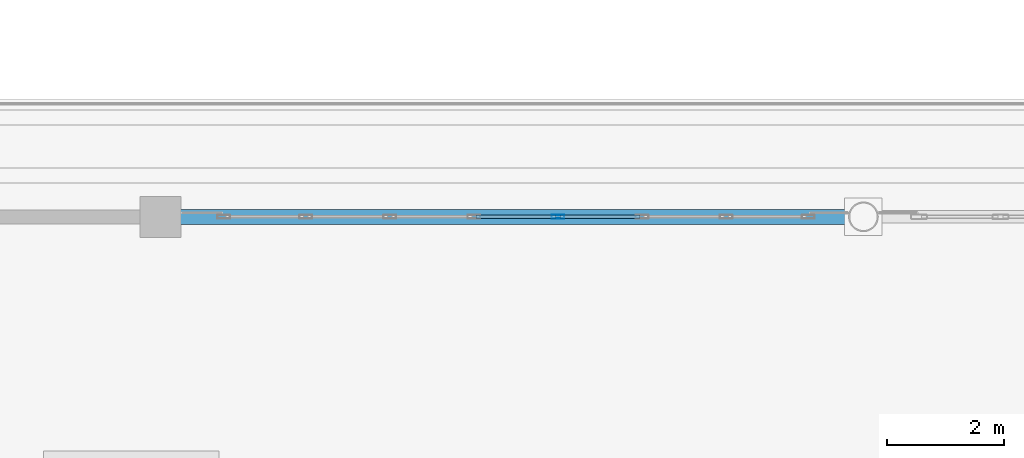
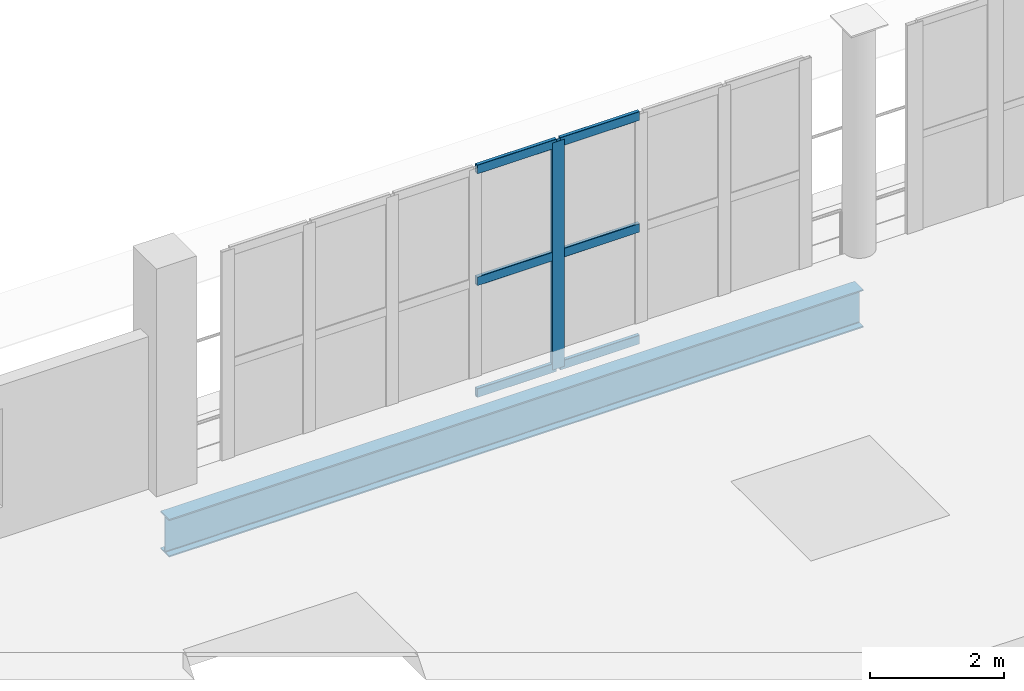
# One storey, part 10 of 108: 7 members, 1 beam, 1 element without a shape of its own.
"""IFC4 building model written with IfcOpenShell, lengths in metres."""

from ifc_helpers import new_model, si_unit, direction, frame, origin, origin_2d, place, context, subcontext, project, spatial, hollow_rectangle, i_section, extrude, material, layer, layer_set, material_profile, profile_set, type_object, element, aggregate, save


model = new_model("IFC4")

# Units and contexts
model_context = context("Model", 3, precision=1e-05, world=origin(), true_north=direction((0.0, 1.0)))
body_context = subcontext(model_context, "Body", "Model", "MODEL_VIEW")
ifc_project = project(units=[si_unit("LENGTHUNIT", "METRE"), si_unit("AREAUNIT", "SQUARE_METRE"), si_unit("VOLUMEUNIT", "CUBIC_METRE"), si_unit("PLANEANGLEUNIT", "RADIAN"), si_unit("MASSUNIT", "GRAM", prefix="KILO")], contexts=[model_context])

# Site, building, storey
site_placement = place(None, origin())
site = spatial("IfcSite", under=ifc_project, at=site_placement, CompositionType="ELEMENT")
building_placement = place(site_placement, origin())
building = spatial("IfcBuilding", under=site, at=building_placement, Name="Brinegate Civic Arena", CompositionType="ELEMENT")
storey_placement = place(building_placement, frame((0.0, 0.0, 10.199951171875)))
storey = spatial("IfcBuildingStorey", under=building, at=storey_placement, Name="L02", CompositionType="ELEMENT", Elevation=10.199951171875)

# Curtain wall, members
ifc_material_1 = material(Name="Marine grade aluminium", Category="aluminium")
ifc_layer = layer(ifc_material_1, 0.18505859375, Name="Marine grade aluminium")
ifc_layer_set = layer_set([ifc_layer], Name="Marine grade aluminium")
curtain_wall_type = type_object("IfcCurtainWallType", Name="CW-WING-GLAZED-03", PredefinedType="USERDEFINED", material=ifc_layer_set)
curtain_wall_placement = place(storey_placement, origin())
curtain_wall = element("IfcCurtainWall", 1, at=curtain_wall_placement, inside=storey, type_object=curtain_wall_type, Name="Curtain Wall CWA-023", ObjectType="GLAZED CURTAIN WALL", PredefinedType="USERDEFINED")
ifc_material_profile_1 = material_profile(ifc_material_1, hollow_rectangle(XDim=0.06494140625, YDim=0.219970703125, WallThickness=0.006103515625, InnerFilletRadius=0.00390625, OuterFilletRadius=0.008056640625, at=origin_2d()), Name="MUL65X220")
ifc_profile_set_1 = profile_set([ifc_material_profile_1], Name="Marine grade aluminium")
member_type_1 = type_object("IfcMemberType", Name="CW-MULLION-65X220", PredefinedType="MULLION", material=ifc_profile_set_1)
member_1_placement = place(storey_placement, frame((30.78564453125, 10.0, 0.0), z_axis=(0.0, 0.0, 1.0), x_axis=(0.0, 1.0, 0.0)))
member_1 = element("IfcMember", 2, at=member_1_placement, type_object=member_type_1, Name="CWA-023 mullion 5", PredefinedType="MULLION", context=body_context, shape_type="SweptSolid", body=[
    extrude(hollow_rectangle(XDim=0.06494140625, YDim=0.219970703125, WallThickness=0.006103515625, InnerFilletRadius=0.00390625, OuterFilletRadius=0.008056640625, at=origin_2d()), origin(), (0.0, 0.0, 1.0), 4.150146484375),
])
ifc_material_profile_2 = material_profile(ifc_material_1, hollow_rectangle(XDim=0.06494140625, YDim=0.1650390625, WallThickness=0.0048828125, InnerFilletRadius=0.00390625, OuterFilletRadius=0.008056640625, at=origin_2d()), Name="TRN65X165")
ifc_profile_set_2 = profile_set([ifc_material_profile_2], Name="Marine grade aluminium")
member_type_2 = type_object("IfcMemberType", Name="CW-TRANSOM-65X165", PredefinedType="USERDEFINED", material=ifc_profile_set_2)
member_2_placement = place(storey_placement, frame((29.3828125, 10.0, 0.032470703125), z_axis=(1.0, 0.0, 0.0), x_axis=(0.0, 1.0, 0.0)))
member_2 = element("IfcMember", 3, at=member_2_placement, type_object=member_type_2, Name="CWA-023 transom 4.1", ObjectType="TRANSOM", PredefinedType="USERDEFINED", context=body_context, shape_type="SweptSolid", body=[
    extrude(hollow_rectangle(XDim=0.06494140625, YDim=0.1650390625, WallThickness=0.0048828125, InnerFilletRadius=0.00390625, OuterFilletRadius=0.008056640625, at=origin_2d()), origin(), (0.0, 0.0, 1.0), 1.370361328125),
])
member_3_placement = place(storey_placement, frame((29.3828125, 10.0, 2.074951171875), z_axis=(1.0, 0.0, 0.0), x_axis=(0.0, 1.0, 0.0)))
member_3 = element("IfcMember", 4, at=member_3_placement, type_object=member_type_2, Name="CWA-023 transom 4.2", ObjectType="TRANSOM", PredefinedType="USERDEFINED", context=body_context, shape_type="SweptSolid", body=[
    extrude(hollow_rectangle(XDim=0.06494140625, YDim=0.1650390625, WallThickness=0.0048828125, InnerFilletRadius=0.00390625, OuterFilletRadius=0.008056640625, at=origin_2d()), origin(), (0.0, 0.0, 1.0), 1.370361328125),
])
member_4_placement = place(storey_placement, frame((29.3828125, 10.0, 4.117431640625), z_axis=(1.0, 0.0, 0.0), x_axis=(0.0, 1.0, 0.0)))
member_4 = element("IfcMember", 5, at=member_4_placement, type_object=member_type_2, Name="CWA-023 transom 4.3", ObjectType="TRANSOM", PredefinedType="USERDEFINED", context=body_context, shape_type="SweptSolid", body=[
    extrude(hollow_rectangle(XDim=0.06494140625, YDim=0.1650390625, WallThickness=0.0048828125, InnerFilletRadius=0.00390625, OuterFilletRadius=0.008056640625, at=origin_2d()), origin(), (0.0, 0.0, 1.0), 1.370361328125),
])
member_5_placement = place(storey_placement, frame((30.818115234375, 10.0, 0.032470703125), z_axis=(1.0, 0.0, 0.0), x_axis=(0.0, 1.0, 0.0)))
member_5 = element("IfcMember", 6, at=member_5_placement, type_object=member_type_2, Name="CWA-023 transom 5.1", ObjectType="TRANSOM", PredefinedType="USERDEFINED", context=body_context, shape_type="SweptSolid", body=[
    extrude(hollow_rectangle(XDim=0.06494140625, YDim=0.1650390625, WallThickness=0.0048828125, InnerFilletRadius=0.00390625, OuterFilletRadius=0.008056640625, at=origin_2d()), origin(), (0.0, 0.0, 1.0), 1.3701171875),
])
member_6_placement = place(storey_placement, frame((30.818115234375, 10.0, 2.074951171875), z_axis=(1.0, 0.0, 0.0), x_axis=(0.0, 1.0, 0.0)))
member_6 = element("IfcMember", 7, at=member_6_placement, type_object=member_type_2, Name="CWA-023 transom 5.2", ObjectType="TRANSOM", PredefinedType="USERDEFINED", context=body_context, shape_type="SweptSolid", body=[
    extrude(hollow_rectangle(XDim=0.06494140625, YDim=0.1650390625, WallThickness=0.0048828125, InnerFilletRadius=0.00390625, OuterFilletRadius=0.008056640625, at=origin_2d()), origin(), (0.0, 0.0, 1.0), 1.3701171875),
])
member_7_placement = place(storey_placement, frame((30.818115234375, 10.0, 4.117431640625), z_axis=(1.0, 0.0, 0.0), x_axis=(0.0, 1.0, 0.0)))
member_7 = element("IfcMember", 8, at=member_7_placement, type_object=member_type_2, Name="CWA-023 transom 5.3", ObjectType="TRANSOM", PredefinedType="USERDEFINED", context=body_context, shape_type="SweptSolid", body=[
    extrude(hollow_rectangle(XDim=0.06494140625, YDim=0.1650390625, WallThickness=0.0048828125, InnerFilletRadius=0.00390625, OuterFilletRadius=0.008056640625, at=origin_2d()), origin(), (0.0, 0.0, 1.0), 1.3701171875),
])
aggregate(curtain_wall, [member_1, member_2, member_3, member_4, member_5, member_6, member_7])

# Beam
ifc_material_2 = material(Name="Steel S355", Category="steel")
ifc_material_profile_3 = material_profile(ifc_material_2, i_section(OverallWidth=0.256103515625, OverallDepth=0.693115234375, WebThickness=0.014892578125, FlangeThickness=0.02392578125, FilletRadius=0.01806640625, at=origin_2d()), Name="W690X170")
ifc_profile_set_3 = profile_set([ifc_material_profile_3], Name="Steel S355")
beam_type = type_object("IfcBeamType", Name="SPANDREL-W690X170", PredefinedType="SPANDREL", material=ifc_profile_set_3)
beam_placement = place(storey_placement, frame((24.0, 10.0, -0.676025390625), z_axis=(1.0, 0.0, 0.0), x_axis=(0.0, 1.0, 0.0)))
element("IfcBeam", 9, at=beam_placement, inside=storey, type_object=beam_type, Name="Floor Girder BM-L02-GX-02-01", PredefinedType="SPANDREL", context=body_context, shape_type="SweptSolid", body=[
    extrude(i_section(OverallWidth=0.256103515625, OverallDepth=0.693115234375, WebThickness=0.014892578125, FlangeThickness=0.02392578125, FilletRadius=0.01806640625, at=origin_2d()), origin(), (0.0, 0.0, 1.0), 12.0),
])

save(model, "model.ifc")
